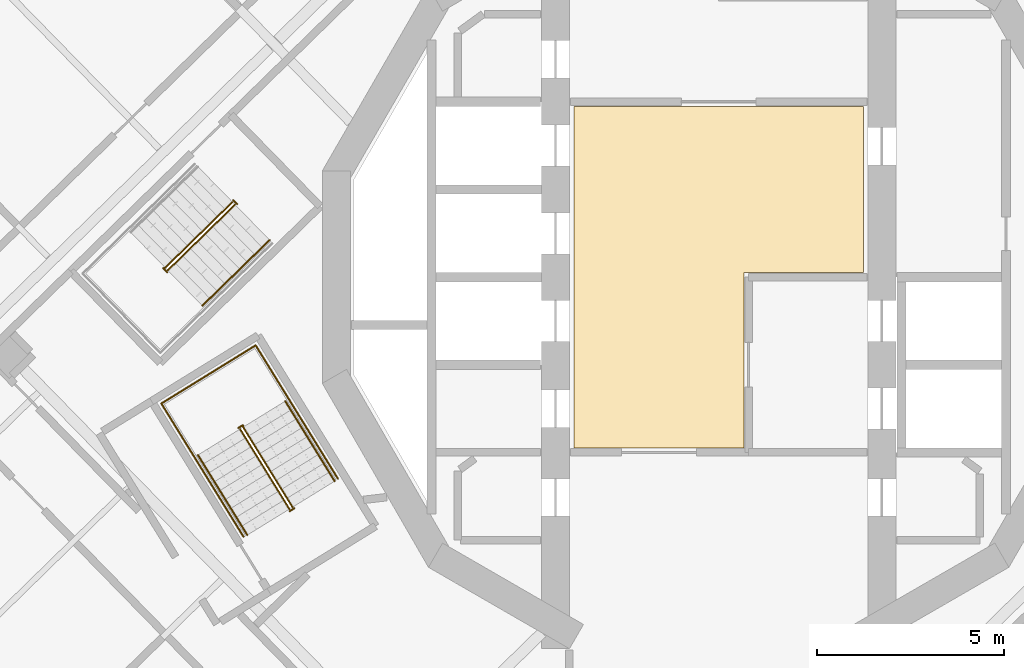
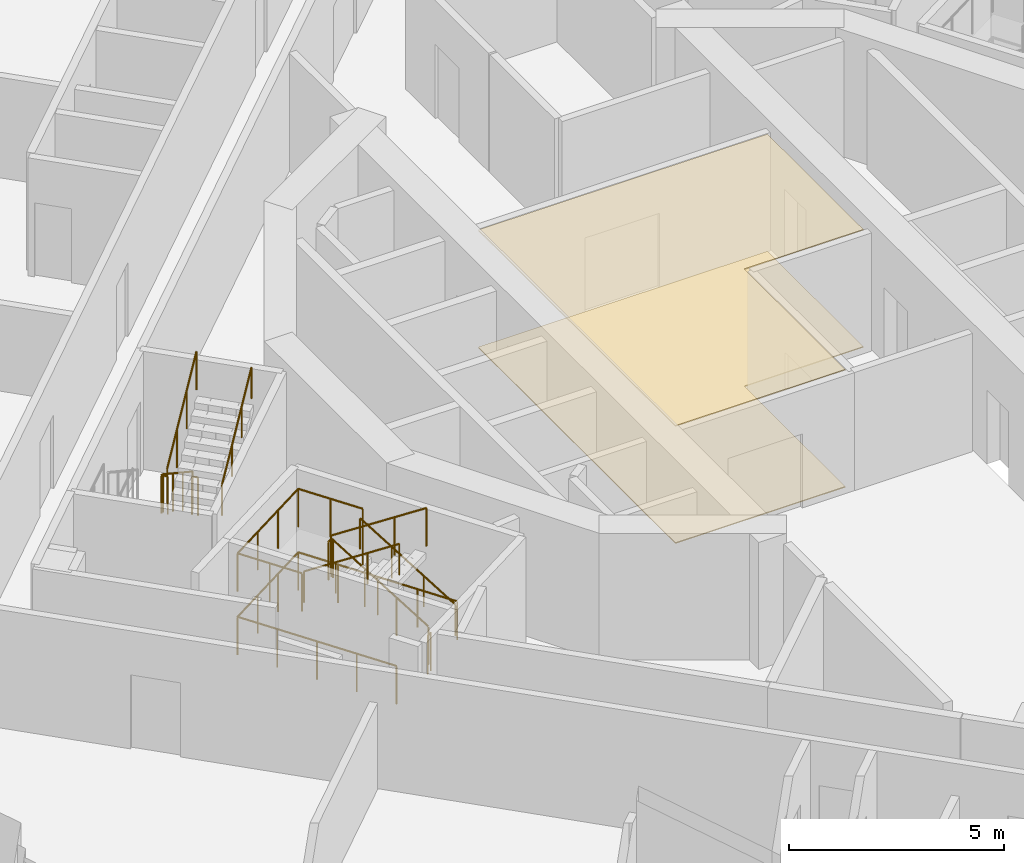
# One storey, part 16 of 20: 11 railings, 2 coverings.
"""IFC4 building model written with IfcOpenShell, lengths in metres."""

from ifc_helpers import new_model, si_unit, direction, frame, origin, origin_2d, place, context, subcontext, project, spatial, polyline, circle, outline, extrude, material, layer, layer_set, type_object, element, save


model = new_model("IFC4")

# Units and contexts
model_context = context("Model", 3, precision=1e-05, world=origin(), true_north=direction((0.0, 1.0)))
body_context = subcontext(model_context, "Body", "Model", "MODEL_VIEW")
ifc_project = project(units=[si_unit("LENGTHUNIT", "METRE"), si_unit("AREAUNIT", "SQUARE_METRE"), si_unit("VOLUMEUNIT", "CUBIC_METRE"), si_unit("PLANEANGLEUNIT", "RADIAN"), si_unit("MASSUNIT", "GRAM", prefix="KILO")], contexts=[model_context])

# Site, building, storey
site_placement = place(None, origin())
site = spatial("IfcSite", under=ifc_project, at=site_placement, CompositionType="ELEMENT")
building_placement = place(site_placement, origin())
building = spatial("IfcBuilding", under=site, at=building_placement, Name="Cantera Rosa Tower", CompositionType="ELEMENT")
storey_placement = place(building_placement, frame((0.0, 0.0, 209.0)))
storey = spatial("IfcBuildingStorey", under=building, at=storey_placement, Name="L44", CompositionType="ELEMENT", Elevation=209.0)

# Railings
ifc_material_1 = material(Name="Steel S355J2 (EN 10025-2)", Category="steel")
railing_type_1 = type_object("IfcRailingType", Name="STAIR GUARD 1100", PredefinedType="GUARDRAIL", material=ifc_material_1)
railing_1_placement = place(storey_placement, frame((-13.032958984375, 2.013427734375, 0.179931640625)))
element("IfcRailing", 1, at=railing_1_placement, inside=storey, type_object=railing_type_1, Name="L44 ST-43 stair guard 1", PredefinedType="GUARDRAIL", context=body_context, shape_type="SweptSolid", body=[
    extrude(circle(Radius=0.02392578125, at=origin_2d()), frame((0.0, 0.0, 1.076171875), z_axis=(-0.601672219931, -0.587818193466, 0.54079599776), x_axis=(0.698823692472, -0.715293958342, 0.0)), (0.0, 0.0, 1.0), 2.995849609375),
    extrude(circle(Radius=0.02392578125, at=origin_2d()), frame((-1.802490234375, -1.760986328125, 2.6962890625), z_axis=(-0.956987977523, -0.290127576896, 0.0), x_axis=(0.290127576896, -0.956987977523, 0.0)), (0.0, 0.0, 1.0), 0.056396484375),
    extrude(circle(Radius=0.02392578125, at=origin_2d()), frame((-1.8564453125, -1.77734375, 2.6962890625), z_axis=(0.698932947801, -0.715187202401, 0.0), x_axis=(0.715187202401, 0.698932947801, 0.0)), (0.0, 0.0, 1.0), 0.150146484375),
    extrude(circle(Radius=0.02099609375, at=origin_2d()), origin(), (0.0, 0.0, 1.0), 1.052001953125),
    extrude(circle(Radius=0.02099609375, at=origin_2d()), frame((-0.600830078125, -0.5869140625, 0.5400390625)), (0.0, 0.0, 1.0), 1.052001953125),
    extrude(circle(Radius=0.02099609375, at=origin_2d()), frame((-1.20166015625, -1.174072265625, 1.080078125)), (0.0, 0.0, 1.0), 1.052001953125),
    extrude(circle(Radius=0.02099609375, at=origin_2d()), frame((-1.802490234375, -1.760986328125, 1.6201171875)), (0.0, 0.0, 1.0), 1.052001953125),
    extrude(circle(Radius=0.02099609375, at=origin_2d()), frame((-1.8564453125, -1.77734375, 1.6201171875)), (0.0, 0.0, 1.0), 1.052001953125),
    extrude(circle(Radius=0.02099609375, at=origin_2d()), frame((-1.75146484375, -1.884765625, 1.6201171875)), (0.0, 0.0, 1.0), 1.052001953125),
])
railing_2_placement = place(storey_placement, frame((-14.766845703125, 0.182373046875, 1.97998046875)))
element("IfcRailing", 2, at=railing_2_placement, inside=storey, type_object=railing_type_1, Name="L44 ST-43 stair guard 2", PredefinedType="GUARDRAIL", context=body_context, shape_type="SweptSolid", body=[
    extrude(circle(Radius=0.02392578125, at=origin_2d()), frame((0.0, 0.0, 1.076171875), z_axis=(0.601672219931, 0.587818193466, 0.54079599776), x_axis=(-0.698823692472, 0.715293958342, 0.0)), (0.0, 0.0, 1.0), 2.995849609375),
    extrude(circle(Radius=0.02099609375, at=origin_2d()), origin(), (0.0, 0.0, 1.0), 1.052001953125),
    extrude(circle(Radius=0.02099609375, at=origin_2d()), frame((0.600830078125, 0.5869140625, 0.5400390625)), (0.0, 0.0, 1.0), 1.052001953125),
    extrude(circle(Radius=0.02099609375, at=origin_2d()), frame((1.20166015625, 1.174072265625, 1.080078125)), (0.0, 0.0, 1.0), 1.052001953125),
    extrude(circle(Radius=0.02099609375, at=origin_2d()), frame((1.802490234375, 1.760986328125, 1.6201171875)), (0.0, 0.0, 1.0), 1.052001953125),
])
railing_3_placement = place(storey_placement, frame((-13.01513671875, 2.06689453125, 0.0)))
element("IfcRailing", 3, at=railing_3_placement, inside=storey, type_object=railing_type_1, Name="L44 ST-43 stair guard 3", PredefinedType="GUARDRAIL", context=body_context, shape_type="SweptSolid", body=[
    extrude(circle(Radius=0.02392578125, at=origin_2d()), frame((0.0, 0.0, 1.076171875), z_axis=(0.698914008722, -0.715205710557, 0.0), x_axis=(0.715205710557, 0.698914008722, 0.0)), (0.0, 0.0, 1.0), 0.14990234375),
    extrude(circle(Radius=0.02099609375, at=origin_2d()), origin(), (0.0, 0.0, 1.0), 1.052001953125),
    extrude(circle(Radius=0.02099609375, at=origin_2d()), frame((0.104736328125, -0.107177734375, 0.0)), (0.0, 0.0, 1.0), 1.052001953125),
])
railing_4_placement = place(storey_placement, frame((-11.42333984375, -6.165771484375, 0.179931640625)))
element("IfcRailing", 4, at=railing_4_placement, inside=storey, type_object=railing_type_1, Name="L44 ST-44 stair guard 1", PredefinedType="GUARDRAIL", context=body_context, shape_type="SweptSolid", body=[
    extrude(circle(Radius=0.02392578125, at=origin_2d()), frame((0.0, 0.0, 1.076171875), z_axis=(-0.441609067481, 0.715913574058, 0.540785711718), x_axis=(-0.851102330005, -0.524999832248, 0.0)), (0.0, 0.0, 1.0), 2.995849609375),
    extrude(circle(Radius=0.02392578125, at=origin_2d()), frame((-1.322998046875, 2.144775390625, 2.6962890625), z_axis=(-0.073711968402, 0.997279572494, 0.0), x_axis=(-0.997279572494, -0.073711968402, 0.0)), (0.0, 0.0, 1.0), 0.056396484375),
    extrude(circle(Radius=0.02392578125, at=origin_2d()), frame((-1.3271484375, 2.200927734375, 2.6962890625), z_axis=(-0.851546489876, -0.524279100842, 0.0), x_axis=(0.524279100842, -0.851546489876, 0.0)), (0.0, 0.0, 1.0), 0.14990234375),
    extrude(circle(Radius=0.02099609375, at=origin_2d()), origin(), (0.0, 0.0, 1.0), 1.052001953125),
    extrude(circle(Radius=0.02099609375, at=origin_2d()), frame((-0.44091796875, 0.71484375, 0.5400390625)), (0.0, 0.0, 1.0), 1.052001953125),
    extrude(circle(Radius=0.02099609375, at=origin_2d()), frame((-0.882080078125, 1.429931640625, 1.080078125)), (0.0, 0.0, 1.0), 1.052001953125),
    extrude(circle(Radius=0.02099609375, at=origin_2d()), frame((-1.322998046875, 2.144775390625, 1.6201171875)), (0.0, 0.0, 1.0), 1.052001953125),
    extrude(circle(Radius=0.02099609375, at=origin_2d()), frame((-1.3271484375, 2.200927734375, 1.6201171875)), (0.0, 0.0, 1.0), 1.052001953125),
    extrude(circle(Radius=0.02099609375, at=origin_2d()), frame((-1.454833984375, 2.122314453125, 1.6201171875)), (0.0, 0.0, 1.0), 1.052001953125),
])
railing_5_placement = place(storey_placement, frame((-12.82958984375, -4.072509765625, 1.97998046875)))
element("IfcRailing", 5, at=railing_5_placement, inside=storey, type_object=railing_type_1, Name="L44 ST-44 stair guard 2", PredefinedType="GUARDRAIL", context=body_context, shape_type="SweptSolid", body=[
    extrude(circle(Radius=0.02392578125, at=origin_2d()), frame((0.0, 0.0, 1.076171875), z_axis=(0.44154346381, -0.715939337315, 0.540805172729), x_axis=(0.851145618652, 0.524929648476, 0.0)), (0.0, 0.0, 1.0), 2.995849609375),
    extrude(circle(Radius=0.02099609375, at=origin_2d()), origin(), (0.0, 0.0, 1.0), 1.052001953125),
    extrude(circle(Radius=0.02099609375, at=origin_2d()), frame((0.44091796875, -0.71484375, 0.5400390625)), (0.0, 0.0, 1.0), 1.052001953125),
    extrude(circle(Radius=0.02099609375, at=origin_2d()), frame((0.8818359375, -1.429931640625, 1.080078125)), (0.0, 0.0, 1.0), 1.052001953125),
    extrude(circle(Radius=0.02099609375, at=origin_2d()), frame((1.32275390625, -2.144775390625, 1.6201171875)), (0.0, 0.0, 1.0), 1.052001953125),
])
railing_6_placement = place(storey_placement, frame((-11.375, -6.19482421875, 0.0)))
element("IfcRailing", 6, at=railing_6_placement, inside=storey, type_object=railing_type_1, Name="L44 ST-44 stair guard 3", PredefinedType="GUARDRAIL", context=body_context, shape_type="SweptSolid", body=[
    extrude(circle(Radius=0.02392578125, at=origin_2d()), frame((0.0, 0.0, 1.076171875), z_axis=(-0.851546489876, -0.524279100842, 0.0), x_axis=(0.524279100842, -0.851546489876, 0.0)), (0.0, 0.0, 1.0), 0.14990234375),
    extrude(circle(Radius=0.02099609375, at=origin_2d()), origin(), (0.0, 0.0, 1.0), 1.052001953125),
    extrude(circle(Radius=0.02099609375, at=origin_2d()), frame((-0.127685546875, -0.07861328125, 0.0)), (0.0, 0.0, 1.0), 1.052001953125),
])
railing_7_placement = place(storey_placement, frame((-10.20751953125, -5.40185546875, 0.0)))
element("IfcRailing", 7, at=railing_7_placement, inside=storey, type_object=railing_type_1, Name="L44 ST-44 stair guard 4", PredefinedType="GUARDRAIL", context=body_context, shape_type="SweptSolid", body=[
    extrude(circle(Radius=0.02392578125, at=origin_2d()), frame((0.0, 0.0, 1.076171875), z_axis=(-0.524976478809, 0.851116735059, 0.0), x_axis=(-0.851116735059, -0.524976478809, 0.0)), (0.0, 0.0, 1.0), 4.197998046875),
    extrude(circle(Radius=0.02392578125, at=origin_2d()), frame((-2.203857421875, 3.572998046875, 1.076171875), z_axis=(-0.851132917336, -0.524950242429, 0.0), x_axis=(0.524950242429, -0.851132917336, 0.0)), (0.0, 0.0, 1.0), 2.969970703125),
    extrude(circle(Radius=0.02392578125, at=origin_2d()), frame((-4.731689453125, 2.013916015625, 1.076171875), z_axis=(0.524976478809, -0.851116735059, 0.0), x_axis=(0.851116735059, 0.524976478809, 0.0)), (0.0, 0.0, 1.0), 4.197998046875),
    extrude(circle(Radius=0.02099609375, at=origin_2d()), origin(), (0.0, 0.0, 1.0), 1.052001953125),
    extrude(circle(Radius=0.02099609375, at=origin_2d()), frame((-0.551025390625, 0.893310546875, 0.0)), (0.0, 0.0, 1.0), 1.052001953125),
    extrude(circle(Radius=0.02099609375, at=origin_2d()), frame((-1.10205078125, 1.78662109375, 0.0)), (0.0, 0.0, 1.0), 1.052001953125),
    extrude(circle(Radius=0.02099609375, at=origin_2d()), frame((-1.65283203125, 2.6796875, 0.0)), (0.0, 0.0, 1.0), 1.052001953125),
    extrude(circle(Radius=0.02099609375, at=origin_2d()), frame((-2.203857421875, 3.572998046875, 0.0)), (0.0, 0.0, 1.0), 1.052001953125),
    extrude(circle(Radius=0.02099609375, at=origin_2d()), frame((-3.04638671875, 3.05322265625, 0.0)), (0.0, 0.0, 1.0), 1.052001953125),
    extrude(circle(Radius=0.02099609375, at=origin_2d()), frame((-3.88916015625, 2.53369140625, 0.0)), (0.0, 0.0, 1.0), 1.052001953125),
    extrude(circle(Radius=0.02099609375, at=origin_2d()), frame((-4.731689453125, 2.013916015625, 0.0)), (0.0, 0.0, 1.0), 1.052001953125),
    extrude(circle(Radius=0.02099609375, at=origin_2d()), frame((-4.1806640625, 1.12060546875, 0.0)), (0.0, 0.0, 1.0), 1.052001953125),
    extrude(circle(Radius=0.02099609375, at=origin_2d()), frame((-3.6298828125, 0.2275390625, 0.0)), (0.0, 0.0, 1.0), 1.052001953125),
    extrude(circle(Radius=0.02099609375, at=origin_2d()), frame((-3.078857421875, -0.665771484375, 0.0)), (0.0, 0.0, 1.0), 1.052001953125),
    extrude(circle(Radius=0.02099609375, at=origin_2d()), frame((-2.52783203125, -1.55908203125, 0.0)), (0.0, 0.0, 1.0), 1.052001953125),
])
railing_8_placement = place(storey_placement, frame((-11.517822265625, -3.27734375, 1.800048828125)))
element("IfcRailing", 8, at=railing_8_placement, inside=storey, type_object=railing_type_1, Name="L44 ST-44 stair guard 5", PredefinedType="GUARDRAIL", context=body_context, shape_type="SweptSolid", body=[
    extrude(circle(Radius=0.02392578125, at=origin_2d()), frame((0.0, 0.0, 1.076171875), z_axis=(-0.525025534833, 0.851086474909, 0.0), x_axis=(-0.851086474909, -0.525025534833, 0.0)), (0.0, 0.0, 1.0), 1.701904296875),
    extrude(circle(Radius=0.02392578125, at=origin_2d()), frame((-0.8935546875, 1.448486328125, 1.076171875), z_axis=(-0.851132917336, -0.524950242429, 0.0), x_axis=(0.524950242429, -0.851132917336, 0.0)), (0.0, 0.0, 1.0), 2.969970703125),
    extrude(circle(Radius=0.02392578125, at=origin_2d()), frame((-3.42138671875, -0.110595703125, 1.076171875), z_axis=(0.524961441845, -0.851126009811, 0.0), x_axis=(0.851126009811, 0.524961441845, 0.0)), (0.0, 0.0, 1.0), 1.7021484375),
    extrude(circle(Radius=0.02099609375, at=origin_2d()), origin(), (0.0, 0.0, 1.0), 1.052001953125),
    extrude(circle(Radius=0.02099609375, at=origin_2d()), frame((-0.44677734375, 0.72412109375, 0.0)), (0.0, 0.0, 1.0), 1.052001953125),
    extrude(circle(Radius=0.02099609375, at=origin_2d()), frame((-0.8935546875, 1.448486328125, 0.0)), (0.0, 0.0, 1.0), 1.052001953125),
    extrude(circle(Radius=0.02099609375, at=origin_2d()), frame((-1.736083984375, 0.9287109375, 0.0)), (0.0, 0.0, 1.0), 1.052001953125),
    extrude(circle(Radius=0.02099609375, at=origin_2d()), frame((-2.578857421875, 0.4091796875, 0.0)), (0.0, 0.0, 1.0), 1.052001953125),
    extrude(circle(Radius=0.02099609375, at=origin_2d()), frame((-3.42138671875, -0.110595703125, 0.0)), (0.0, 0.0, 1.0), 1.052001953125),
    extrude(circle(Radius=0.02099609375, at=origin_2d()), frame((-2.974609375, -0.8349609375, 0.0)), (0.0, 0.0, 1.0), 1.052001953125),
    extrude(circle(Radius=0.02099609375, at=origin_2d()), frame((-2.52783203125, -1.559326171875, 0.0)), (0.0, 0.0, 1.0), 1.052001953125),
])
ifc_material_2 = material(Name="Steel S355J2 (EN 10025-2)", Category="steel")
railing_type_2 = type_object("IfcRailingType", Name="STAIR HANDRAIL 900", PredefinedType="HANDRAIL", material=ifc_material_2)
railing_9_placement = place(storey_placement, frame((-13.84033203125, -0.76611328125, 1.97998046875)))
element("IfcRailing", 9, at=railing_9_placement, inside=storey, type_object=railing_type_2, Name="L44 ST-43 stair handrail 2", PredefinedType="HANDRAIL", context=body_context, shape_type="SweptSolid", body=[
    extrude(circle(Radius=0.02392578125, at=origin_2d()), frame((0.0, 0.0, 0.8759765625), z_axis=(0.601724208683, 0.587789371239, 0.540769481151), x_axis=(-0.698775265409, 0.715341267126, 0.0)), (0.0, 0.0, 1.0), 2.995849609375),
    extrude(circle(Radius=0.02099609375, at=origin_2d()), origin(), (0.0, 0.0, 1.0), 0.851806640625),
    extrude(circle(Radius=0.02099609375, at=origin_2d()), frame((0.600830078125, 0.5869140625, 0.5400390625)), (0.0, 0.0, 1.0), 0.851806640625),
    extrude(circle(Radius=0.02099609375, at=origin_2d()), frame((1.201904296875, 1.174072265625, 1.080078125)), (0.0, 0.0, 1.0), 0.851806640625),
    extrude(circle(Radius=0.02099609375, at=origin_2d()), frame((1.802734375, 1.760986328125, 1.6201171875)), (0.0, 0.0, 1.0), 0.851806640625),
])
railing_10_placement = place(storey_placement, frame((-10.294677734375, -5.4697265625, 0.179931640625)))
element("IfcRailing", 10, at=railing_10_placement, inside=storey, type_object=railing_type_2, Name="L44 ST-44 stair handrail 1", PredefinedType="HANDRAIL", context=body_context, shape_type="SweptSolid", body=[
    extrude(circle(Radius=0.02392578125, at=origin_2d()), frame((0.0, 0.0, 0.8759765625), z_axis=(-0.441609067481, 0.715913574058, 0.540785711718), x_axis=(-0.851102330005, -0.524999832248, 0.0)), (0.0, 0.0, 1.0), 2.995849609375),
    extrude(circle(Radius=0.02099609375, at=origin_2d()), origin(), (0.0, 0.0, 1.0), 0.851806640625),
    extrude(circle(Radius=0.02099609375, at=origin_2d()), frame((-0.44091796875, 0.71484375, 0.5400390625)), (0.0, 0.0, 1.0), 0.851806640625),
    extrude(circle(Radius=0.02099609375, at=origin_2d()), frame((-0.882080078125, 1.429931640625, 1.080078125)), (0.0, 0.0, 1.0), 0.851806640625),
    extrude(circle(Radius=0.02099609375, at=origin_2d()), frame((-1.322998046875, 2.144775390625, 1.6201171875)), (0.0, 0.0, 1.0), 0.851806640625),
])
railing_11_placement = place(storey_placement, frame((-13.958251953125, -4.7685546875, 1.97998046875)))
element("IfcRailing", 11, at=railing_11_placement, inside=storey, type_object=railing_type_2, Name="L44 ST-44 stair handrail 2", PredefinedType="HANDRAIL", context=body_context, shape_type="SweptSolid", body=[
    extrude(circle(Radius=0.02392578125, at=origin_2d()), frame((0.0, 0.0, 0.8759765625), z_axis=(0.441609067481, -0.715913574058, 0.540785711718), x_axis=(0.851102330005, 0.524999832248, 0.0)), (0.0, 0.0, 1.0), 2.995849609375),
    extrude(circle(Radius=0.02099609375, at=origin_2d()), origin(), (0.0, 0.0, 1.0), 0.851806640625),
    extrude(circle(Radius=0.02099609375, at=origin_2d()), frame((0.44091796875, -0.71484375, 0.5400390625)), (0.0, 0.0, 1.0), 0.851806640625),
    extrude(circle(Radius=0.02099609375, at=origin_2d()), frame((0.882080078125, -1.429931640625, 1.080078125)), (0.0, 0.0, 1.0), 0.851806640625),
    extrude(circle(Radius=0.02099609375, at=origin_2d()), frame((1.322998046875, -2.144775390625, 1.6201171875)), (0.0, 0.0, 1.0), 0.851806640625),
])

# Coverings
ifc_material_3 = material(Name="Limestone paving", Category="masonry")
ifc_layer_1 = layer(ifc_material_3, 0.02490234375)
ifc_layer_set_1 = layer_set([ifc_layer_1], Name="STONE FLOOR FINISH 25")
covering_type_1 = type_object("IfcCoveringType", Name="STONE FLOOR FINISH 25", PredefinedType="FLOORING", material=ifc_layer_set_1)
covering_1_placement = place(storey_placement, origin())
element("IfcCovering", 12, at=covering_1_placement, inside=storey, type_object=covering_type_1, Name="STONE FLOOR FINISH L44", PredefinedType="FLOORING", context=body_context, shape_type="SweptSolid", body=[
    extrude(outline(polyline([(3.8798828125, 4.580078125), (3.8798828125, 0.1201171875), (0.679931640625, 0.1201171875), (0.679931640625, -4.580078125), (-3.8798828125, -4.580078125), (-3.8798828125, 4.580078125), (3.8798828125, 4.580078125)])), origin(), (0.0, 0.0, 1.0), 0.02490234375),
])
ifc_material_4 = material(Name="Gypsum ceiling tile")
ifc_layer_2 = layer(ifc_material_4, 0.030029296875)
ifc_layer_set_2 = layer_set([ifc_layer_2], Name="SUSPENDED CEILING 30")
covering_type_2 = type_object("IfcCoveringType", Name="SUSPENDED CEILING 30", PredefinedType="CEILING", material=ifc_layer_set_2)
covering_2_placement = place(storey_placement, frame((0.0, 0.0, 3.320068359375)))
element("IfcCovering", 13, at=covering_2_placement, inside=storey, type_object=covering_type_2, Name="SUSPENDED CEILING L44", PredefinedType="CEILING", context=body_context, shape_type="SweptSolid", body=[
    extrude(outline(polyline([(3.8798828125, 4.580078125), (3.8798828125, 0.1201171875), (0.679931640625, 0.1201171875), (0.679931640625, -4.580078125), (-3.8798828125, -4.580078125), (-3.8798828125, 4.580078125), (3.8798828125, 4.580078125)])), origin(), (0.0, 0.0, 1.0), 0.030029296875),
])

save(model, "model.ifc")
